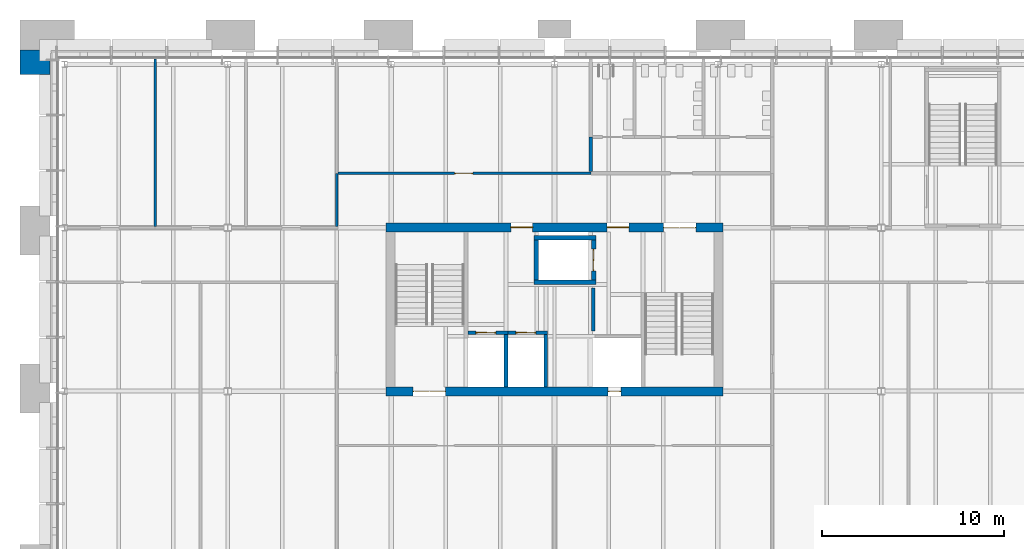
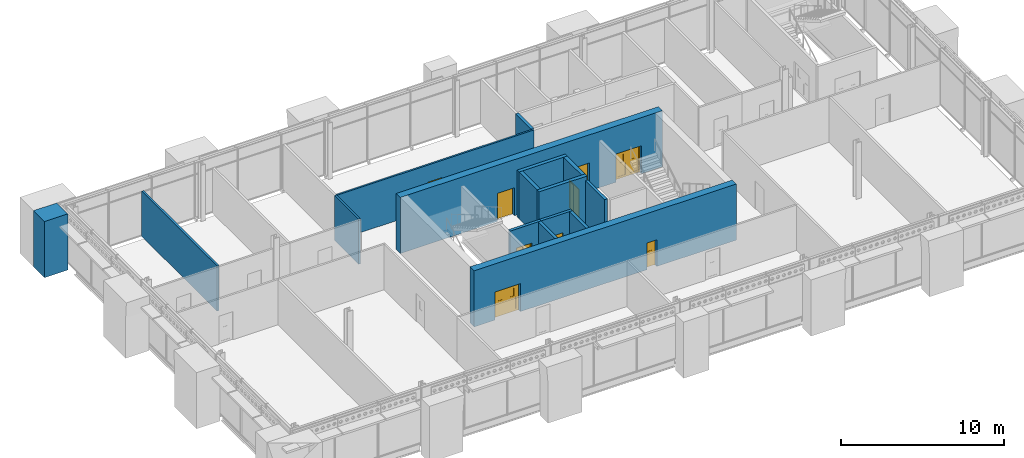
# One storey, part 21 of 37: 16 walls, 9 doors, 9 openings.
"""IFC4 building model written with IfcOpenShell, lengths in metres."""

from ifc_helpers import new_model, si_unit, direction, frame, frame_2d, origin, place, context, subcontext, project, spatial, polyline, rectangle, outline, extrude, material, layer, layer_set, type_object, element, fill, save


model = new_model("IFC4")

# Units and contexts
model_context = context("Model", 3, precision=1e-05, world=origin(), true_north=direction((0.0, 1.0)))
body_context = subcontext(model_context, "Body", "Model", "MODEL_VIEW")
ifc_project = project(units=[si_unit("LENGTHUNIT", "METRE"), si_unit("AREAUNIT", "SQUARE_METRE"), si_unit("VOLUMEUNIT", "CUBIC_METRE"), si_unit("PLANEANGLEUNIT", "RADIAN"), si_unit("MASSUNIT", "GRAM", prefix="KILO")], contexts=[model_context])

# Site, building, storey
site_placement = place(None, origin())
site = spatial("IfcSite", under=ifc_project, at=site_placement, CompositionType="ELEMENT")
building_placement = place(site_placement, origin())
building = spatial("IfcBuilding", under=site, at=building_placement, Name="Baradari Gate Terminus", CompositionType="ELEMENT")
storey_placement = place(building_placement, frame((0.0, 0.0, 24.300048828125)))
storey = spatial("IfcBuildingStorey", under=building, at=storey_placement, Name="L05", CompositionType="ELEMENT", Elevation=24.300048828125)

# Wall
ifc_material_1 = material(Name="Gypsum board")
ifc_layer_1 = layer(ifc_material_1, 0.125)
ifc_layer_set_1 = layer_set([ifc_layer_1], Name="Gypsum board")
wall_type_1 = type_object("IfcWallType", Name="Corridor partition PT-5 125 EI 30", PredefinedType="PARTITIONING", material=ifc_layer_set_1)
wall_1_placement = place(storey_placement, frame((24.0, 135.0625, 0.0), z_axis=(0.0, 0.0, 1.0), x_axis=(0.0, 1.0, 0.0)))
element("IfcWall", 1, at=wall_1_placement, inside=storey, type_object=wall_type_1, Name="PT-5 partition Corridor / Freight and Parcels Office", PredefinedType="PARTITIONING", context=body_context, shape_type="SweptSolid", body=[
    extrude(rectangle(XDim=2.9375, YDim=0.125, at=frame_2d((1.46875, 0.0))), origin(), (0.0, 0.0, 1.0), 3.3818359375),
])

# Wall, opening, door
wall_2_placement = place(storey_placement, frame((24.074951171875, 138.0, 0.0), z_axis=(0.0, 0.0, 1.0), x_axis=(1.0, 0.0, 0.0)))
wall_2 = element("IfcWall", 2, at=wall_2_placement, inside=storey, type_object=wall_type_1, Name="PT-5 partition Corridor / Print and Stationery Room", PredefinedType="PARTITIONING", context=body_context, shape_type="SweptSolid", body=[
    extrude(rectangle(XDim=13.925048828125, YDim=0.125, at=frame_2d((6.96240234375, 0.0))), origin(), (0.0, 0.0, 1.0), 3.3818359375),
])
opening_1_placement = place(wall_2_placement, frame((6.425048828125, 0.0, 0.0)))
opening_1 = element("IfcOpeningElement", 3, at=opening_1_placement, cuts=wall_2, Name="Opening D05-022", PredefinedType="OPENING", context=body_context, shape_type="SweptSolid", body=[
    extrude(rectangle(XDim=1.0, YDim=2.10009765625, at=frame_2d((0.5, 1.050048828125))), frame((0.0, 0.072509765625, 0.0), z_axis=(0.0, -1.0, 0.0), x_axis=(1.0, 0.0, 0.0)), (0.0, 0.0, 1.0), 0.14501953125),
])
ifc_material_2 = material(Name="Steel S275", Category="steel")
door_type_1 = type_object("IfcDoorType", Name="Fire door FI-1000-FD30S 1000x2100 FD30S", OperationType="SINGLE_SWING_LEFT", PredefinedType="DOOR", material=ifc_material_2)
door_1_placement = place(opening_1_placement, origin())
door_1 = element("IfcDoor", 4, at=door_1_placement, inside=storey, type_object=door_type_1, Name="Door Print and Stationery Room", OperationType="SINGLE_SWING_LEFT", OverallHeight=2.1, OverallWidth=1.0, PredefinedType="DOOR", context=body_context, shape_type="SweptSolid", body=[
    extrude(outline(polyline([(0.0, 0.0), (0.070068359375, 0.0), (0.070068359375, 2.030029296875), (0.929931640625, 2.030029296875), (0.929931640625, 0.0), (1.0, 0.0), (1.0, 2.10009765625), (0.0, 2.10009765625), (0.0, 0.0)])), frame((0.0, 0.02490234375, 0.0), z_axis=(0.0, -1.0, 0.0), x_axis=(1.0, 0.0, 0.0)), (0.0, 0.0, 1.0), 0.050048828125),
    extrude(outline(polyline([(0.073974609375, 0.010009765625), (0.926025390625, 0.010009765625), (0.926025390625, 2.026123046875), (0.073974609375, 2.026123046875), (0.073974609375, 0.010009765625)]), holes=[polyline([(0.194091796875, 0.159912109375), (0.805908203125, 0.159912109375), (0.805908203125, 1.010009765625), (0.194091796875, 1.010009765625), (0.194091796875, 0.159912109375)]), polyline([(0.35009765625, 1.159912109375), (0.64990234375, 1.159912109375), (0.64990234375, 1.760009765625), (0.35009765625, 1.760009765625), (0.35009765625, 1.159912109375)])]), frame((0.0, 0.017333984375, 0.0), z_axis=(0.0, -1.0, 0.0), x_axis=(1.0, 0.0, 0.0)), (0.0, 0.0, 1.0), 0.034912109375),
    extrude(rectangle(XDim=0.61181640625, YDim=0.85009765625, at=frame_2d((0.5, 0.5849609375))), frame((0.0, 0.008544921875, 0.0), z_axis=(0.0, -1.0, 0.0), x_axis=(1.0, 0.0, 0.0)), (0.0, 0.0, 1.0), 0.017333984375),
    extrude(rectangle(XDim=0.2998046875, YDim=0.60009765625, at=frame_2d((0.5, 1.4599609375))), frame((0.0, 0.005859375, 0.0), z_axis=(0.0, -1.0, 0.0), x_axis=(1.0, 0.0, 0.0)), (0.0, 0.0, 1.0), 0.011962890625),
])
fill(opening_1, door_1)

# Walls
ifc_material_3 = material(Name="Concrete C32/40", Category="concrete")
ifc_layer_2 = layer(ifc_material_3, 0.25)
ifc_layer_set_2 = layer_set([ifc_layer_2], Name="Concrete C32/40")
wall_type_2 = type_object("IfcWallType", Name="Firefighting lift shaft wall SH-2 250 EI 120", PredefinedType="SOLIDWALL", material=ifc_layer_set_2)
for number, where, z_axis, x_axis, name in (
    (5, (34.875, 132.0, 0.0), (0.0, 0.0, 1.0), (1.0, 0.0, 0.0), "Lift shaft wall LT3 L05 S"),
    (6, (34.875, 134.449951171875, 0.0), (0.0, 0.0, 1.0), (1.0, 0.0, 0.0), "Lift shaft wall LT3 L05 N"),
):
    element("IfcWall", number, at=place(storey_placement, frame(where, z_axis=z_axis, x_axis=x_axis)), inside=storey, type_object=wall_type_2, Name=name, PredefinedType="SOLIDWALL", context=body_context, shape_type="SweptSolid", body=[
        extrude(rectangle(XDim=3.39990234375, YDim=0.25, at=frame_2d((1.699951171875, 0.0))), origin(), (0.0, 0.0, 1.0), 3.52490234375),
    ])
wall_3_placement = place(storey_placement, frame((35.0, 132.125, 0.0), z_axis=(0.0, 0.0, 1.0), x_axis=(0.0, 1.0, 0.0)))
element("IfcWall", 7, at=wall_3_placement, inside=storey, type_object=wall_type_2, Name="Lift shaft wall LT3 L05 W", PredefinedType="SOLIDWALL", context=body_context, shape_type="SweptSolid", body=[
    extrude(rectangle(XDim=2.199951171875, YDim=0.25, at=frame_2d((1.10009765625, 0.0))), origin(), (0.0, 0.0, 1.0), 3.52490234375),
])

# Wall, opening, door
wall_4_placement = place(storey_placement, frame((38.14990234375, 132.125, 0.0), z_axis=(0.0, 0.0, 1.0), x_axis=(0.0, 1.0, 0.0)))
wall_4 = element("IfcWall", 8, at=wall_4_placement, inside=storey, type_object=wall_type_2, Name="Lift shaft wall LT3 L05 E", PredefinedType="SOLIDWALL", context=body_context, shape_type="SweptSolid", body=[
    extrude(rectangle(XDim=2.199951171875, YDim=0.25, at=frame_2d((1.10009765625, 0.0))), origin(), (0.0, 0.0, 1.0), 3.52490234375),
])
opening_2_placement = place(wall_4_placement, frame((0.5, 0.0, 0.0)))
opening_2 = element("IfcOpeningElement", 9, at=opening_2_placement, cuts=wall_4, Name="Opening D05-003", PredefinedType="OPENING", context=body_context, shape_type="SweptSolid", body=[
    extrude(rectangle(XDim=1.199951171875, YDim=2.10009765625, at=frame_2d((0.60009765625, 1.050048828125))), frame((0.0, 0.135009765625, 0.0), z_axis=(0.0, -1.0, 0.0), x_axis=(1.0, 0.0, 0.0)), (0.0, 0.0, 1.0), 0.27001953125),
])
ifc_material_4 = material(Name="Stainless steel 1.4301", Category="steel")
door_type_2 = type_object("IfcDoorType", Name="Lift landing door LD2 1200x2100 E 120", OperationType="SLIDING_TO_LEFT", PredefinedType="DOOR", material=ifc_material_4)
door_2_placement = place(opening_2_placement, origin())
door_2 = element("IfcDoor", 10, at=door_2_placement, inside=storey, type_object=door_type_2, Name="Lift landing door LT3 L05", OperationType="SLIDING_TO_LEFT", OverallHeight=2.1, OverallWidth=1.2, PredefinedType="DOOR", context=body_context, shape_type="SweptSolid", body=[
    extrude(outline(polyline([(0.0, 0.0), (0.070068359375, 0.0), (0.070068359375, 2.030029296875), (1.1298828125, 2.030029296875), (1.1298828125, 0.0), (1.199951171875, 0.0), (1.199951171875, 2.10009765625), (0.0, 2.10009765625), (0.0, 0.0)])), frame((0.0, 0.02490234375, 0.0), z_axis=(0.0, -1.0, 0.0), x_axis=(1.0, 0.0, 0.0)), (0.0, 0.0, 1.0), 0.050048828125),
    extrude(rectangle(XDim=0.57861328125, YDim=2.01611328125, at=frame_2d((0.36328125, 1.01806640625))), frame((0.0, 0.017822265625, 0.0), z_axis=(0.0, -1.0, 0.0), x_axis=(1.0, 0.0, 0.0)), (0.0, 0.0, 1.0), 0.015869140625),
    extrude(rectangle(XDim=0.57470703125, YDim=2.01611328125, at=frame_2d((0.838623046875, 1.01806640625))), frame((0.0, -0.002197265625, 0.0), z_axis=(0.0, -1.0, 0.0), x_axis=(1.0, 0.0, 0.0)), (0.0, 0.0, 1.0), 0.015869140625),
])
fill(opening_2, door_2)

ifc_material_5 = material(Name="Blockwork wall, fire rated", Category="masonry")
ifc_layer_3 = layer(ifc_material_5, 0.199951171875)
ifc_layer_set_3 = layer_set([ifc_layer_3], Name="Blockwork wall, fire rated")
wall_type_3 = type_object("IfcWallType", Name="Lift shaft wall SH-1 200 EI 120", PredefinedType="SOLIDWALL", material=ifc_layer_set_3)
wall_5_placement = place(storey_placement, frame((31.22705078125, 129.22509765625, 0.0), z_axis=(0.0, 0.0, 1.0), x_axis=(1.0, 0.0, 0.0)))
wall_5 = element("IfcWall", 11, at=wall_5_placement, inside=storey, type_object=wall_type_3, Name="Lift shaft wall LT1 L05 N", PredefinedType="SOLIDWALL", context=body_context, shape_type="SweptSolid", body=[
    extrude(rectangle(XDim=2.197998046875, YDim=0.199951171875, at=frame_2d((1.09912109375, 0.0))), origin(), (0.0, 0.0, 1.0), 3.52490234375),
])
opening_3_placement = place(wall_5_placement, frame((0.447998046875, 0.0, 0.0)))
opening_3 = element("IfcOpeningElement", 12, at=opening_3_placement, cuts=wall_5, Name="Opening D05-001", PredefinedType="OPENING", context=body_context, shape_type="SweptSolid", body=[
    extrude(rectangle(XDim=1.10009765625, YDim=2.10009765625, at=frame_2d((0.550048828125, 1.050048828125))), frame((0.0, 0.10986328125, 0.0), z_axis=(0.0, -1.0, 0.0), x_axis=(1.0, 0.0, 0.0)), (0.0, 0.0, 1.0), 0.219970703125),
])
ifc_material_6 = material(Name="Stainless steel 1.4301", Category="steel")
door_type_3 = type_object("IfcDoorType", Name="Lift landing door LD 1100x2100 E 120", OperationType="SLIDING_TO_LEFT", PredefinedType="DOOR", material=ifc_material_6)
door_3_placement = place(opening_3_placement, origin())
door_3 = element("IfcDoor", 13, at=door_3_placement, inside=storey, type_object=door_type_3, Name="Lift landing door LT1 L05", OperationType="SLIDING_TO_LEFT", OverallHeight=2.1, OverallWidth=1.1, PredefinedType="DOOR", context=body_context, shape_type="SweptSolid", body=[
    extrude(outline(polyline([(0.0, 0.0), (0.070068359375, 0.0), (0.070068359375, 2.030029296875), (1.030029296875, 2.030029296875), (1.030029296875, 0.0), (1.10009765625, 0.0), (1.10009765625, 2.10009765625), (0.0, 2.10009765625), (0.0, 0.0)])), frame((0.0, 0.02490234375, 0.0), z_axis=(0.0, -1.0, 0.0), x_axis=(1.0, 0.0, 0.0)), (0.0, 0.0, 1.0), 0.050048828125),
    extrude(rectangle(XDim=0.523681640625, YDim=2.01611328125, at=frame_2d((0.3359375, 1.01806640625))), frame((0.0, 0.017822265625, 0.0), z_axis=(0.0, -1.0, 0.0), x_axis=(1.0, 0.0, 0.0)), (0.0, 0.0, 1.0), 0.015869140625),
    extrude(rectangle(XDim=0.519775390625, YDim=2.01611328125, at=frame_2d((0.76611328125, 1.01806640625))), frame((0.0, -0.002197265625, 0.0), z_axis=(0.0, -1.0, 0.0), x_axis=(1.0, 0.0, 0.0)), (0.0, 0.0, 1.0), 0.015869140625),
])
fill(opening_3, door_3)

# Wall
wall_6_placement = place(storey_placement, frame((33.324951171875, 126.22705078125, 0.0), z_axis=(0.0, 0.0, 1.0), x_axis=(0.0, 1.0, 0.0)))
element("IfcWall", 14, at=wall_6_placement, inside=storey, type_object=wall_type_3, Name="Lift shaft wall LT1 L05 E", PredefinedType="SOLIDWALL", context=body_context, shape_type="SweptSolid", body=[
    extrude(rectangle(XDim=2.89794921875, YDim=0.199951171875, at=frame_2d((1.448974609375, 0.0))), origin(), (0.0, 0.0, 1.0), 3.52490234375),
])

# Wall, opening, door
wall_7_placement = place(storey_placement, frame((33.427001953125, 129.22509765625, 0.0), z_axis=(0.0, 0.0, 1.0), x_axis=(1.0, 0.0, 0.0)))
wall_7 = element("IfcWall", 15, at=wall_7_placement, inside=storey, type_object=wall_type_3, Name="Lift shaft wall LT2 L05 N", PredefinedType="SOLIDWALL", context=body_context, shape_type="SweptSolid", body=[
    extrude(rectangle(XDim=2.197998046875, YDim=0.199951171875, at=frame_2d((1.09912109375, 0.0))), origin(), (0.0, 0.0, 1.0), 3.52490234375),
])
opening_4_placement = place(wall_7_placement, frame((0.447998046875, 0.0, 0.0)))
opening_4 = element("IfcOpeningElement", 16, at=opening_4_placement, cuts=wall_7, Name="Opening D05-002", PredefinedType="OPENING", context=body_context, shape_type="SweptSolid", body=[
    extrude(rectangle(XDim=1.10009765625, YDim=2.10009765625, at=frame_2d((0.550048828125, 1.050048828125))), frame((0.0, 0.10986328125, 0.0), z_axis=(0.0, -1.0, 0.0), x_axis=(1.0, 0.0, 0.0)), (0.0, 0.0, 1.0), 0.219970703125),
])
door_4_placement = place(opening_4_placement, origin())
door_4 = element("IfcDoor", 17, at=door_4_placement, inside=storey, type_object=door_type_3, Name="Lift landing door LT2 L05", OperationType="SLIDING_TO_LEFT", OverallHeight=2.1, OverallWidth=1.1, PredefinedType="DOOR", context=body_context, shape_type="SweptSolid", body=[
    extrude(outline(polyline([(0.0, 0.0), (0.070068359375, 0.0), (0.070068359375, 2.030029296875), (1.030029296875, 2.030029296875), (1.030029296875, 0.0), (1.10009765625, 0.0), (1.10009765625, 2.10009765625), (0.0, 2.10009765625), (0.0, 0.0)])), frame((0.0, 0.02490234375, 0.0), z_axis=(0.0, -1.0, 0.0), x_axis=(1.0, 0.0, 0.0)), (0.0, 0.0, 1.0), 0.050048828125),
    extrude(rectangle(XDim=0.523681640625, YDim=2.01611328125, at=frame_2d((0.3359375, 1.01806640625))), frame((0.0, 0.017822265625, 0.0), z_axis=(0.0, -1.0, 0.0), x_axis=(1.0, 0.0, 0.0)), (0.0, 0.0, 1.0), 0.015869140625),
    extrude(rectangle(XDim=0.519775390625, YDim=2.01611328125, at=frame_2d((0.76611328125, 1.01806640625))), frame((0.0, -0.002197265625, 0.0), z_axis=(0.0, -1.0, 0.0), x_axis=(1.0, 0.0, 0.0)), (0.0, 0.0, 1.0), 0.015869140625),
])
fill(opening_4, door_4)

# Walls
wall_8_placement = place(storey_placement, frame((35.52490234375, 126.22705078125, 0.0), z_axis=(0.0, 0.0, 1.0), x_axis=(0.0, 1.0, 0.0)))
element("IfcWall", 18, at=wall_8_placement, inside=storey, type_object=wall_type_3, Name="Lift shaft wall LT2 L05 E", PredefinedType="SOLIDWALL", context=body_context, shape_type="SweptSolid", body=[
    extrude(rectangle(XDim=2.89794921875, YDim=0.199951171875, at=frame_2d((1.448974609375, 0.0))), origin(), (0.0, 0.0, 1.0), 3.52490234375),
])
ifc_material_7 = material(Name="Blockwork wall, plastered, fire rated", Category="masonry")
ifc_layer_4 = layer(ifc_material_7, 0.199951171875)
ifc_layer_set_4 = layer_set([ifc_layer_4], Name="Blockwork wall, plastered, fire rated")
wall_type_4 = type_object("IfcWallType", Name="Lobby partition PT-4 200 EI 60", PredefinedType="PARTITIONING", material=ifc_layer_set_4)
wall_9_placement = place(storey_placement, frame((38.125, 131.675048828125, 0.0), z_axis=(0.0, 0.0, 1.0), x_axis=(0.0, -1.0, 0.0)))
element("IfcWall", 19, at=wall_9_placement, inside=storey, type_object=wall_type_4, Name="PT-4 partition Lift Lobby / Lift Lobby (Fire-fighting)", PredefinedType="PARTITIONING", context=body_context, shape_type="SweptSolid", body=[
    extrude(rectangle(XDim=2.35009765625, YDim=0.199951171875, at=frame_2d((1.175048828125, 0.0))), origin(), (0.0, 0.0, 1.0), 3.3818359375),
])
wall_10_placement = place(storey_placement, frame((38.0, 138.10009765625, 0.0), z_axis=(0.0, 0.0, 1.0), x_axis=(0.0, 1.0, 0.0)))
element("IfcWall", 20, at=wall_10_placement, inside=storey, type_object=wall_type_4, Name="PT-4 partition WC Lobby / Print and Stationery Room", PredefinedType="PARTITIONING", context=body_context, shape_type="SweptSolid", body=[
    extrude(rectangle(XDim=1.89990234375, YDim=0.199951171875, at=frame_2d((0.949951171875, 0.0))), origin(), (0.0, 0.0, 1.0), 3.3818359375),
])

# Wall, openings, doors
ifc_material_8 = material(Name="Concrete C40/50", Category="concrete")
ifc_layer_5 = layer(ifc_material_8, 0.5)
ifc_layer_set_5 = layer_set([ifc_layer_5], Name="Concrete C40/50")
wall_type_5 = type_object("IfcWallType", Name="Operations block core wall CWL02 500", PredefinedType="SOLIDWALL", material=ifc_layer_set_5)
wall_11_placement = place(storey_placement, frame((26.72509765625, 125.97509765625, 0.0), z_axis=(0.0, 0.0, 1.0), x_axis=(1.0, 0.0, 0.0)))
wall_11 = element("IfcWall", 21, at=wall_11_placement, inside=storey, type_object=wall_type_5, Name="Operations block core wall CT S L05", PredefinedType="SOLIDWALL", context=body_context, shape_type="SweptSolid", body=[
    extrude(rectangle(XDim=18.5498046875, YDim=0.5, at=frame_2d((9.27490234375, 0.0))), origin(), (0.0, 0.0, 1.0), 4.199951171875),
])
opening_5_placement = place(wall_11_placement, frame((1.47509765625, 0.0, 0.0)))
opening_5 = element("IfcOpeningElement", 22, at=opening_5_placement, cuts=wall_11, Name="Opening D05-004", PredefinedType="OPENING", context=body_context, shape_type="SweptSolid", body=[
    extrude(rectangle(XDim=1.800048828125, YDim=2.10009765625, at=frame_2d((0.89990234375, 1.050048828125))), frame((0.0, 0.260009765625, 0.0), z_axis=(0.0, -1.0, 0.0), x_axis=(1.0, 0.0, 0.0)), (0.0, 0.0, 1.0), 0.52001953125),
])
opening_6_placement = place(wall_11_placement, frame((12.22509765625, 0.0, 0.0)))
opening_6 = element("IfcOpeningElement", 23, at=opening_6_placement, cuts=wall_11, Name="Opening D05-008", PredefinedType="OPENING", context=body_context, shape_type="SweptSolid", body=[
    extrude(rectangle(XDim=0.699951171875, YDim=2.0, at=frame_2d((0.35009765625, 1.0))), frame((0.0, 0.260009765625, 0.0), z_axis=(0.0, -1.0, 0.0), x_axis=(1.0, 0.0, 0.0)), (0.0, 0.0, 1.0), 0.52001953125),
])
ifc_material_9 = material(Name="Steel S275", Category="steel")
door_type_4 = type_object("IfcDoorType", Name="Fire door FI-1800-FD90S 1800x2100 FD90S", OperationType="DOUBLE_DOOR_SINGLE_SWING", PredefinedType="DOOR", material=ifc_material_9)
door_5_placement = place(opening_5_placement, origin())
door_5 = element("IfcDoor", 24, at=door_5_placement, inside=storey, type_object=door_type_4, Name="Door Stair (Core) 1", OperationType="DOUBLE_DOOR_SINGLE_SWING", OverallHeight=2.1, OverallWidth=1.8, PredefinedType="DOOR", context=body_context, shape_type="SweptSolid", body=[
    extrude(outline(polyline([(0.0, 0.0), (0.070068359375, 0.0), (0.070068359375, 2.030029296875), (1.72998046875, 2.030029296875), (1.72998046875, 0.0), (1.800048828125, 0.0), (1.800048828125, 2.10009765625), (0.0, 2.10009765625), (0.0, 0.0)])), frame((0.0, 0.02490234375, 0.0), z_axis=(0.0, -1.0, 0.0), x_axis=(1.0, 0.0, 0.0)), (0.0, 0.0, 1.0), 0.050048828125),
    extrude(outline(polyline([(0.073974609375, 0.010009765625), (0.89697265625, 0.010009765625), (0.89697265625, 2.026123046875), (0.073974609375, 2.026123046875), (0.073974609375, 0.010009765625)]), holes=[polyline([(0.194091796875, 0.159912109375), (0.77685546875, 0.159912109375), (0.77685546875, 1.010009765625), (0.194091796875, 1.010009765625), (0.194091796875, 0.159912109375)]), polyline([(0.33544921875, 1.159912109375), (0.635498046875, 1.159912109375), (0.635498046875, 1.760009765625), (0.33544921875, 1.760009765625), (0.33544921875, 1.159912109375)])]), frame((0.0, 0.017333984375, 0.0), z_axis=(0.0, -1.0, 0.0), x_axis=(1.0, 0.0, 0.0)), (0.0, 0.0, 1.0), 0.034912109375),
    extrude(rectangle(XDim=0.582763671875, YDim=0.85009765625, at=frame_2d((0.4853515625, 0.5849609375))), frame((0.0, 0.008544921875, 0.0), z_axis=(0.0, -1.0, 0.0), x_axis=(1.0, 0.0, 0.0)), (0.0, 0.0, 1.0), 0.017333984375),
    extrude(rectangle(XDim=0.300048828125, YDim=0.60009765625, at=frame_2d((0.4853515625, 1.4599609375))), frame((0.0, 0.005859375, 0.0), z_axis=(0.0, -1.0, 0.0), x_axis=(1.0, 0.0, 0.0)), (0.0, 0.0, 1.0), 0.011962890625),
    extrude(outline(polyline([(0.903076171875, 0.010009765625), (1.72607421875, 0.010009765625), (1.72607421875, 2.026123046875), (0.903076171875, 2.026123046875), (0.903076171875, 0.010009765625)]), holes=[polyline([(1.023193359375, 0.159912109375), (1.60595703125, 0.159912109375), (1.60595703125, 1.010009765625), (1.023193359375, 1.010009765625), (1.023193359375, 0.159912109375)]), polyline([(1.16455078125, 1.159912109375), (1.464599609375, 1.159912109375), (1.464599609375, 1.760009765625), (1.16455078125, 1.760009765625), (1.16455078125, 1.159912109375)])]), frame((0.0, 0.017333984375, 0.0), z_axis=(0.0, -1.0, 0.0), x_axis=(1.0, 0.0, 0.0)), (0.0, 0.0, 1.0), 0.034912109375),
    extrude(rectangle(XDim=0.582763671875, YDim=0.85009765625, at=frame_2d((1.314453125, 0.5849609375))), frame((0.0, 0.008544921875, 0.0), z_axis=(0.0, -1.0, 0.0), x_axis=(1.0, 0.0, 0.0)), (0.0, 0.0, 1.0), 0.017333984375),
    extrude(rectangle(XDim=0.300048828125, YDim=0.60009765625, at=frame_2d((1.314453125, 1.4599609375))), frame((0.0, 0.005859375, 0.0), z_axis=(0.0, -1.0, 0.0), x_axis=(1.0, 0.0, 0.0)), (0.0, 0.0, 1.0), 0.011962890625),
])
fill(opening_5, door_5)
ifc_material_10 = material(Name="Steel S275", Category="steel")
door_type_5 = type_object("IfcDoorType", Name="Fire door FI-700x2000-FD90S 700x2000 FD90S", OperationType="SINGLE_SWING_LEFT", PredefinedType="DOOR", material=ifc_material_10)
door_6_placement = place(opening_6_placement, origin())
door_6 = element("IfcDoor", 25, at=door_6_placement, inside=storey, type_object=door_type_5, Name="Door Riser", OperationType="SINGLE_SWING_RIGHT", OverallHeight=2.0, OverallWidth=0.7, PredefinedType="DOOR", context=body_context, shape_type="SweptSolid", body=[
    extrude(outline(polyline([(0.0, 0.0), (0.070068359375, 0.0), (0.070068359375, 1.929931640625), (0.6298828125, 1.929931640625), (0.6298828125, 0.0), (0.699951171875, 0.0), (0.699951171875, 2.0), (0.0, 2.0), (0.0, 0.0)])), frame((0.0, 0.02490234375, 0.0), z_axis=(0.0, -1.0, 0.0), x_axis=(1.0, 0.0, 0.0)), (0.0, 0.0, 1.0), 0.050048828125),
    extrude(outline(polyline([(0.073974609375, 0.010009765625), (0.6259765625, 0.010009765625), (0.6259765625, 1.926025390625), (0.073974609375, 1.926025390625), (0.073974609375, 0.010009765625)]), holes=[polyline([(0.184326171875, 0.159912109375), (0.515625, 0.159912109375), (0.515625, 1.010009765625), (0.184326171875, 1.010009765625), (0.184326171875, 0.159912109375)]), polyline([(0.199951171875, 1.159912109375), (0.5, 1.159912109375), (0.5, 1.760009765625), (0.199951171875, 1.760009765625), (0.199951171875, 1.159912109375)])]), frame((0.0, 0.017333984375, 0.0), z_axis=(0.0, -1.0, 0.0), x_axis=(1.0, 0.0, 0.0)), (0.0, 0.0, 1.0), 0.034912109375),
    extrude(rectangle(XDim=0.331298828125, YDim=0.85009765625, at=frame_2d((0.35009765625, 0.5849609375))), frame((0.0, 0.008544921875, 0.0), z_axis=(0.0, -1.0, 0.0), x_axis=(1.0, 0.0, 0.0)), (0.0, 0.0, 1.0), 0.017333984375),
    extrude(rectangle(XDim=0.300048828125, YDim=0.60009765625, at=frame_2d((0.35009765625, 1.4599609375))), frame((0.0, 0.005859375, 0.0), z_axis=(0.0, -1.0, 0.0), x_axis=(1.0, 0.0, 0.0)), (0.0, 0.0, 1.0), 0.011962890625),
])
fill(opening_6, door_6)

wall_12_placement = place(storey_placement, frame((26.72509765625, 135.02490234375, 0.0), z_axis=(0.0, 0.0, 1.0), x_axis=(1.0, 0.0, 0.0)))
wall_12 = element("IfcWall", 26, at=wall_12_placement, inside=storey, type_object=wall_type_5, Name="Operations block core wall CT N L05", PredefinedType="SOLIDWALL", context=body_context, shape_type="SweptSolid", body=[
    extrude(rectangle(XDim=18.5498046875, YDim=0.5, at=frame_2d((9.27490234375, 0.0))), origin(), (0.0, 0.0, 1.0), 4.199951171875),
])
opening_7_placement = place(wall_12_placement, frame((15.27490234375, 0.0, 0.0)))
opening_7 = element("IfcOpeningElement", 27, at=opening_7_placement, cuts=wall_12, Name="Opening D05-005", PredefinedType="OPENING", context=body_context, shape_type="SweptSolid", body=[
    extrude(rectangle(XDim=1.800048828125, YDim=2.10009765625, at=frame_2d((0.89990234375, 1.050048828125))), frame((0.0, 0.260009765625, 0.0), z_axis=(0.0, -1.0, 0.0), x_axis=(1.0, 0.0, 0.0)), (0.0, 0.0, 1.0), 0.52001953125),
])
opening_8_placement = place(wall_12_placement, frame((6.875, 0.0, 0.0)))
opening_8 = element("IfcOpeningElement", 28, at=opening_8_placement, cuts=wall_12, Name="Opening D05-006", PredefinedType="OPENING", context=body_context, shape_type="SweptSolid", body=[
    extrude(rectangle(XDim=1.199951171875, YDim=2.10009765625, at=frame_2d((0.60009765625, 1.050048828125))), frame((0.0, 0.260009765625, 0.0), z_axis=(0.0, -1.0, 0.0), x_axis=(1.0, 0.0, 0.0)), (0.0, 0.0, 1.0), 0.52001953125),
])
opening_9_placement = place(wall_12_placement, frame((12.175048828125, 0.0, 0.0)))
opening_9 = element("IfcOpeningElement", 29, at=opening_9_placement, cuts=wall_12, Name="Opening D05-007", PredefinedType="OPENING", context=body_context, shape_type="SweptSolid", body=[
    extrude(rectangle(XDim=1.199951171875, YDim=2.10009765625, at=frame_2d((0.60009765625, 1.050048828125))), frame((0.0, 0.260009765625, 0.0), z_axis=(0.0, -1.0, 0.0), x_axis=(1.0, 0.0, 0.0)), (0.0, 0.0, 1.0), 0.52001953125),
])
ifc_material_11 = material(Name="Steel S275", Category="steel")
door_type_6 = type_object("IfcDoorType", Name="Fire door FI-1200-FD90S 1200x2100 FD90S", OperationType="DOUBLE_DOOR_SINGLE_SWING", PredefinedType="DOOR", material=ifc_material_11)
door_7_placement = place(opening_8_placement, frame((1.199951171875, 0.0, 0.0), z_axis=(0.0, 0.0, 1.0), x_axis=(-1.0, 0.0, 0.0)))
door_7 = element("IfcDoor", 30, at=door_7_placement, inside=storey, type_object=door_type_6, Name="Door Lift Lobby", OperationType="DOUBLE_DOOR_SINGLE_SWING", OverallHeight=2.1, OverallWidth=1.2, PredefinedType="DOOR", context=body_context, shape_type="SweptSolid", body=[
    extrude(outline(polyline([(0.0, 0.0), (0.070068359375, 0.0), (0.070068359375, 2.030029296875), (1.1298828125, 2.030029296875), (1.1298828125, 0.0), (1.199951171875, 0.0), (1.199951171875, 2.10009765625), (0.0, 2.10009765625), (0.0, 0.0)])), frame((0.0, 0.02490234375, 0.0), z_axis=(0.0, -1.0, 0.0), x_axis=(1.0, 0.0, 0.0)), (0.0, 0.0, 1.0), 0.050048828125),
    extrude(outline(polyline([(0.073974609375, 0.010009765625), (0.596923828125, 0.010009765625), (0.596923828125, 2.026123046875), (0.073974609375, 2.026123046875), (0.073974609375, 0.010009765625)]), holes=[polyline([(0.178466796875, 0.372802734375), (0.492431640625, 0.372802734375), (0.492431640625, 1.7841796875), (0.178466796875, 1.7841796875), (0.178466796875, 0.372802734375)])]), frame((0.0, 0.017333984375, 0.0), z_axis=(0.0, -1.0, 0.0), x_axis=(1.0, 0.0, 0.0)), (0.0, 0.0, 1.0), 0.034912109375),
    extrude(rectangle(XDim=0.31396484375, YDim=1.411376953125, at=frame_2d((0.33544921875, 1.07861328125))), frame((0.0, 0.008544921875, 0.0), z_axis=(0.0, -1.0, 0.0), x_axis=(1.0, 0.0, 0.0)), (0.0, 0.0, 1.0), 0.017333984375),
    extrude(outline(polyline([(0.60302734375, 0.010009765625), (1.1259765625, 0.010009765625), (1.1259765625, 2.026123046875), (0.60302734375, 2.026123046875), (0.60302734375, 0.010009765625)]), holes=[polyline([(0.70751953125, 0.372802734375), (1.021484375, 0.372802734375), (1.021484375, 1.7841796875), (0.70751953125, 1.7841796875), (0.70751953125, 0.372802734375)])]), frame((0.0, 0.017333984375, 0.0), z_axis=(0.0, -1.0, 0.0), x_axis=(1.0, 0.0, 0.0)), (0.0, 0.0, 1.0), 0.034912109375),
    extrude(rectangle(XDim=0.31396484375, YDim=1.411376953125, at=frame_2d((0.864501953125, 1.07861328125))), frame((0.0, 0.008544921875, 0.0), z_axis=(0.0, -1.0, 0.0), x_axis=(1.0, 0.0, 0.0)), (0.0, 0.0, 1.0), 0.017333984375),
])
fill(opening_8, door_7)
door_8_placement = place(opening_9_placement, frame((1.199951171875, 0.0, 0.0), z_axis=(0.0, 0.0, 1.0), x_axis=(-1.0, 0.0, 0.0)))
door_8 = element("IfcDoor", 31, at=door_8_placement, inside=storey, type_object=door_type_6, Name="Door Lift Lobby (Fire-fighting)", OperationType="DOUBLE_DOOR_SINGLE_SWING", OverallHeight=2.1, OverallWidth=1.2, PredefinedType="DOOR", context=body_context, shape_type="SweptSolid", body=[
    extrude(outline(polyline([(0.0, 0.0), (0.070068359375, 0.0), (0.070068359375, 2.030029296875), (1.1298828125, 2.030029296875), (1.1298828125, 0.0), (1.199951171875, 0.0), (1.199951171875, 2.10009765625), (0.0, 2.10009765625), (0.0, 0.0)])), frame((0.0, 0.02490234375, 0.0), z_axis=(0.0, -1.0, 0.0), x_axis=(1.0, 0.0, 0.0)), (0.0, 0.0, 1.0), 0.050048828125),
    extrude(outline(polyline([(0.073974609375, 0.010009765625), (0.596923828125, 0.010009765625), (0.596923828125, 2.026123046875), (0.073974609375, 2.026123046875), (0.073974609375, 0.010009765625)]), holes=[polyline([(0.178466796875, 0.372802734375), (0.492431640625, 0.372802734375), (0.492431640625, 1.7841796875), (0.178466796875, 1.7841796875), (0.178466796875, 0.372802734375)])]), frame((0.0, 0.017333984375, 0.0), z_axis=(0.0, -1.0, 0.0), x_axis=(1.0, 0.0, 0.0)), (0.0, 0.0, 1.0), 0.034912109375),
    extrude(rectangle(XDim=0.31396484375, YDim=1.411376953125, at=frame_2d((0.33544921875, 1.07861328125))), frame((0.0, 0.008544921875, 0.0), z_axis=(0.0, -1.0, 0.0), x_axis=(1.0, 0.0, 0.0)), (0.0, 0.0, 1.0), 0.017333984375),
    extrude(outline(polyline([(0.60302734375, 0.010009765625), (1.1259765625, 0.010009765625), (1.1259765625, 2.026123046875), (0.60302734375, 2.026123046875), (0.60302734375, 0.010009765625)]), holes=[polyline([(0.70751953125, 0.372802734375), (1.021484375, 0.372802734375), (1.021484375, 1.7841796875), (0.70751953125, 1.7841796875), (0.70751953125, 0.372802734375)])]), frame((0.0, 0.017333984375, 0.0), z_axis=(0.0, -1.0, 0.0), x_axis=(1.0, 0.0, 0.0)), (0.0, 0.0, 1.0), 0.034912109375),
    extrude(rectangle(XDim=0.31396484375, YDim=1.411376953125, at=frame_2d((0.864501953125, 1.07861328125))), frame((0.0, 0.008544921875, 0.0), z_axis=(0.0, -1.0, 0.0), x_axis=(1.0, 0.0, 0.0)), (0.0, 0.0, 1.0), 0.017333984375),
])
fill(opening_9, door_8)
door_9_placement = place(opening_7_placement, frame((1.800048828125, 0.0, 0.0), z_axis=(0.0, 0.0, 1.0), x_axis=(-1.0, 0.0, 0.0)))
door_9 = element("IfcDoor", 32, at=door_9_placement, inside=storey, type_object=door_type_4, Name="Door Stair (Core) 2", OperationType="DOUBLE_DOOR_SINGLE_SWING", OverallHeight=2.1, OverallWidth=1.8, PredefinedType="DOOR", context=body_context, shape_type="SweptSolid", body=[
    extrude(outline(polyline([(0.0, 0.0), (0.070068359375, 0.0), (0.070068359375, 2.030029296875), (1.72998046875, 2.030029296875), (1.72998046875, 0.0), (1.800048828125, 0.0), (1.800048828125, 2.10009765625), (0.0, 2.10009765625), (0.0, 0.0)])), frame((0.0, 0.02490234375, 0.0), z_axis=(0.0, -1.0, 0.0), x_axis=(1.0, 0.0, 0.0)), (0.0, 0.0, 1.0), 0.050048828125),
    extrude(outline(polyline([(0.073974609375, 0.010009765625), (0.89697265625, 0.010009765625), (0.89697265625, 2.026123046875), (0.073974609375, 2.026123046875), (0.073974609375, 0.010009765625)]), holes=[polyline([(0.194091796875, 0.159912109375), (0.77685546875, 0.159912109375), (0.77685546875, 1.010009765625), (0.194091796875, 1.010009765625), (0.194091796875, 0.159912109375)]), polyline([(0.33544921875, 1.159912109375), (0.635498046875, 1.159912109375), (0.635498046875, 1.760009765625), (0.33544921875, 1.760009765625), (0.33544921875, 1.159912109375)])]), frame((0.0, 0.017333984375, 0.0), z_axis=(0.0, -1.0, 0.0), x_axis=(1.0, 0.0, 0.0)), (0.0, 0.0, 1.0), 0.034912109375),
    extrude(rectangle(XDim=0.582763671875, YDim=0.85009765625, at=frame_2d((0.4853515625, 0.5849609375))), frame((0.0, 0.008544921875, 0.0), z_axis=(0.0, -1.0, 0.0), x_axis=(1.0, 0.0, 0.0)), (0.0, 0.0, 1.0), 0.017333984375),
    extrude(rectangle(XDim=0.300048828125, YDim=0.60009765625, at=frame_2d((0.4853515625, 1.4599609375))), frame((0.0, 0.005859375, 0.0), z_axis=(0.0, -1.0, 0.0), x_axis=(1.0, 0.0, 0.0)), (0.0, 0.0, 1.0), 0.011962890625),
    extrude(outline(polyline([(0.903076171875, 0.010009765625), (1.72607421875, 0.010009765625), (1.72607421875, 2.026123046875), (0.903076171875, 2.026123046875), (0.903076171875, 0.010009765625)]), holes=[polyline([(1.023193359375, 0.159912109375), (1.60595703125, 0.159912109375), (1.60595703125, 1.010009765625), (1.023193359375, 1.010009765625), (1.023193359375, 0.159912109375)]), polyline([(1.16455078125, 1.159912109375), (1.464599609375, 1.159912109375), (1.464599609375, 1.760009765625), (1.16455078125, 1.760009765625), (1.16455078125, 1.159912109375)])]), frame((0.0, 0.017333984375, 0.0), z_axis=(0.0, -1.0, 0.0), x_axis=(1.0, 0.0, 0.0)), (0.0, 0.0, 1.0), 0.034912109375),
    extrude(rectangle(XDim=0.582763671875, YDim=0.85009765625, at=frame_2d((1.314453125, 0.5849609375))), frame((0.0, 0.008544921875, 0.0), z_axis=(0.0, -1.0, 0.0), x_axis=(1.0, 0.0, 0.0)), (0.0, 0.0, 1.0), 0.017333984375),
    extrude(rectangle(XDim=0.300048828125, YDim=0.60009765625, at=frame_2d((1.314453125, 1.4599609375))), frame((0.0, 0.005859375, 0.0), z_axis=(0.0, -1.0, 0.0), x_axis=(1.0, 0.0, 0.0)), (0.0, 0.0, 1.0), 0.011962890625),
])
fill(opening_7, door_9)

# Walls
ifc_material_12 = material(Name="Blockwork wall, plastered", Category="masonry")
ifc_layer_6 = layer(ifc_material_12, 0.14990234375)
ifc_layer_set_6 = layer_set([ifc_layer_6], Name="Blockwork wall, plastered")
wall_type_6 = type_object("IfcWallType", Name="Partition PT-2 150 EI 60", PredefinedType="PARTITIONING", material=ifc_layer_set_6)
wall_13_placement = place(storey_placement, frame((14.0, 144.294921875, 0.0), z_axis=(0.0, 0.0, 1.0), x_axis=(0.0, -1.0, 0.0)))
element("IfcWall", 33, at=wall_13_placement, inside=storey, type_object=wall_type_6, Name="PT-2 partition Station Master's Office / Revenue Office", PredefinedType="PARTITIONING", context=body_context, shape_type="SweptSolid", body=[
    extrude(rectangle(XDim=9.232421875, YDim=0.14990234375, at=frame_2d((4.6162109375, 0.0))), origin(), (0.0, 0.0, 1.0), 3.3818359375),
])
ifc_material_13 = material(Name="Concrete C40/50 precast", Category="concrete")
ifc_layer_7 = layer(ifc_material_13, 1.55)
ifc_material_14 = material(Name="Sandstone cladding", Category="masonry")
ifc_layer_8 = layer(ifc_material_14, 0.1)
ifc_layer_set_7 = layer_set([ifc_layer_7, ifc_layer_8], Name="Concrete C40/50 precast")
wall_type_7 = type_object("IfcWallType", Name="Sandstone-faced precast frame pier WQ-4 1650", PredefinedType="SOLIDWALL", material=ifc_layer_set_7)
wall_14_placement = place(storey_placement, frame((7.3798828125, 143.445068359375, 0.0), z_axis=(0.0, 0.0, 1.0), x_axis=(0.0, 1.0, 0.0)))
element("IfcWall", 34, at=wall_14_placement, inside=storey, type_object=wall_type_7, Name="Corner pilaster NW leg B L05", PredefinedType="SOLIDWALL", context=body_context, shape_type="SweptSolid", body=[
    extrude(rectangle(XDim=1.349853515625, YDim=1.64990234375, at=frame_2d((0.6748046875, 0.0))), origin(), (0.0, 0.0, 1.0), 4.199951171875),
])

save(model, "model.ifc")
